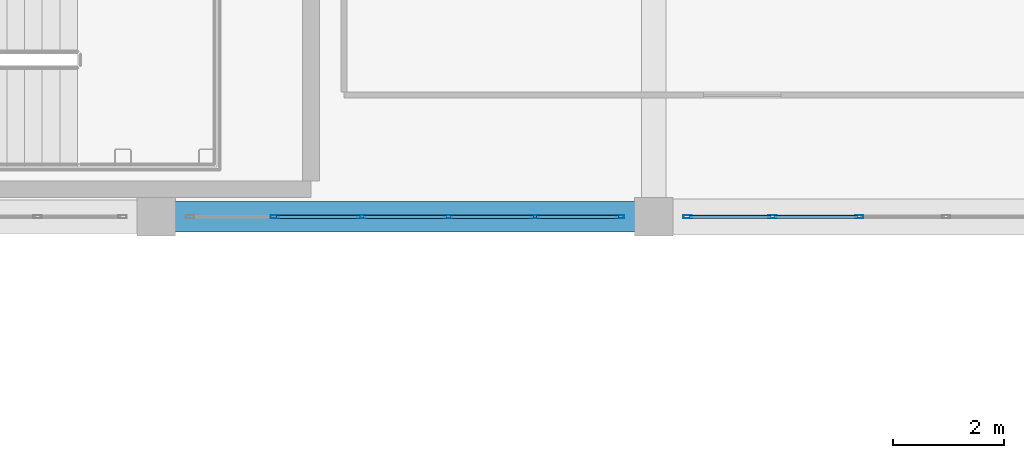
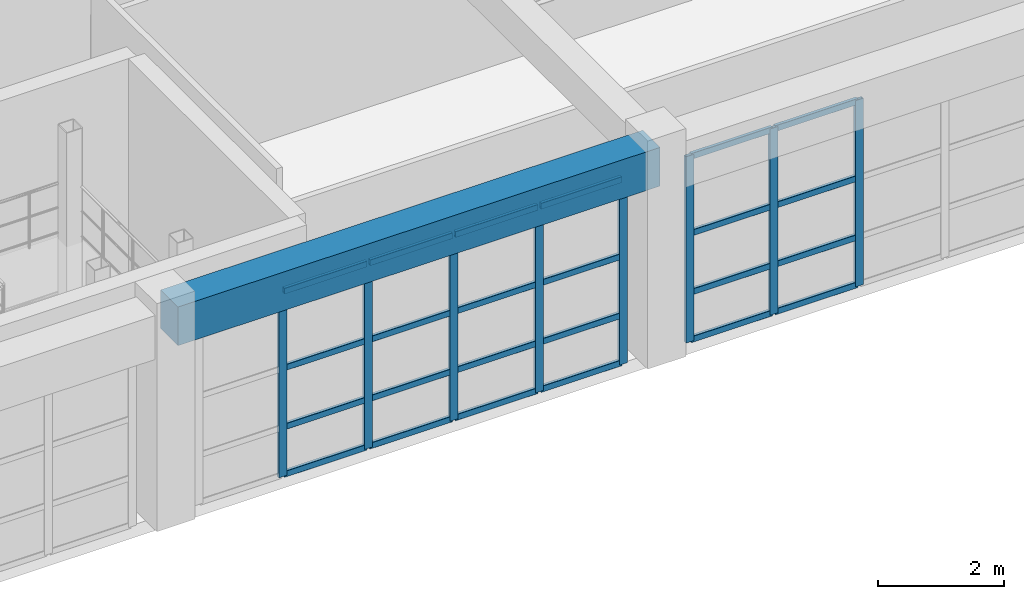
# One storey, part 86 of 133: 32 members, 1 beam, 2 elements without a shape of their own.
"""IFC4 building model written with IfcOpenShell, lengths in metres."""

from ifc_helpers import new_model, si_unit, direction, frame, origin, origin_2d, place, context, subcontext, project, spatial, rectangle, hollow_rectangle, extrude, material, material_profile, profile_set, type_object, element, aggregate, save


model = new_model("IFC4")

# Units and contexts
model_context = context("Model", 3, precision=1e-05, world=origin(), true_north=direction((0.0, 1.0)))
body_context = subcontext(model_context, "Body", "Model", "MODEL_VIEW")
ifc_project = project(units=[si_unit("LENGTHUNIT", "METRE"), si_unit("AREAUNIT", "SQUARE_METRE"), si_unit("VOLUMEUNIT", "CUBIC_METRE"), si_unit("PLANEANGLEUNIT", "RADIAN"), si_unit("MASSUNIT", "GRAM", prefix="KILO")], contexts=[model_context])

# Site, building, storey
site_placement = place(None, origin())
site = spatial("IfcSite", under=ifc_project, at=site_placement, CompositionType="ELEMENT")
building_placement = place(site_placement, origin())
building = spatial("IfcBuilding", under=site, at=building_placement, Name="Miravela Opera House", CompositionType="ELEMENT")
storey_placement = place(building_placement, frame((0.0, 0.0, 5.10009765625)))
storey = spatial("IfcBuildingStorey", under=building, at=storey_placement, Name="L01", CompositionType="ELEMENT", Elevation=5.10009765625)

# Curtain wall, members
ifc_material_1 = material(Name="Anodised architectural bronze aluminium 6063-T6", Category="aluminium")
curtain_wall_type = type_object("IfcCurtainWallType", Name="ARC-CW-05", PredefinedType="NOTDEFINED", material=ifc_material_1)
curtain_wall_1_placement = place(storey_placement, origin())
curtain_wall_1 = element("IfcCurtainWall", 1, at=curtain_wall_1_placement, inside=storey, type_object=curtain_wall_type, Name="Courtyard Arcade Curtain Wall CW-L01-173", PredefinedType="NOTDEFINED")
ifc_material_profile_1 = material_profile(ifc_material_1, hollow_rectangle(XDim=0.06005859375, YDim=0.14990234375, WallThickness=0.00390625, InnerFilletRadius=0.001953125, OuterFilletRadius=0.00390625, at=origin_2d()), Name="CWM-60X150")
ifc_profile_set_1 = profile_set([ifc_material_profile_1])
member_type_1 = type_object("IfcMemberType", Name="ARC-CWM-150", PredefinedType="MULLION", material=ifc_profile_set_1)
member_1_placement = place(storey_placement, frame((128.14794921875, 103.0, 0.0), z_axis=(0.0, 0.0, 1.0), x_axis=(0.0, 1.0, 0.0)))
member_1 = element("IfcMember", 2, at=member_1_placement, type_object=member_type_1, Name="CW-05 mullion 2", PredefinedType="MULLION", context=body_context, shape_type="SweptSolid", body=[
    extrude(hollow_rectangle(XDim=0.06005859375, YDim=0.14990234375, WallThickness=0.00390625, InnerFilletRadius=0.001953125, OuterFilletRadius=0.00390625, at=origin_2d()), origin(), (0.0, 0.0, 1.0), 3.60986328125),
])
member_2_placement = place(storey_placement, frame((129.716064453125, 103.0, 0.0), z_axis=(0.0, 0.0, 1.0), x_axis=(0.0, 1.0, 0.0)))
member_2 = element("IfcMember", 3, at=member_2_placement, type_object=member_type_1, Name="CW-05 mullion 3", PredefinedType="MULLION", context=body_context, shape_type="SweptSolid", body=[
    extrude(hollow_rectangle(XDim=0.06005859375, YDim=0.14990234375, WallThickness=0.00390625, InnerFilletRadius=0.001953125, OuterFilletRadius=0.00390625, at=origin_2d()), origin(), (0.0, 0.0, 1.0), 3.60986328125),
])
member_3_placement = place(storey_placement, frame((131.283935546875, 103.0, 0.0), z_axis=(0.0, 0.0, 1.0), x_axis=(0.0, 1.0, 0.0)))
member_3 = element("IfcMember", 4, at=member_3_placement, type_object=member_type_1, Name="CW-05 mullion 4", PredefinedType="MULLION", context=body_context, shape_type="SweptSolid", body=[
    extrude(hollow_rectangle(XDim=0.06005859375, YDim=0.14990234375, WallThickness=0.00390625, InnerFilletRadius=0.001953125, OuterFilletRadius=0.00390625, at=origin_2d()), origin(), (0.0, 0.0, 1.0), 3.60986328125),
])
member_4_placement = place(storey_placement, frame((132.85205078125, 103.0, 0.0), z_axis=(0.0, 0.0, 1.0), x_axis=(0.0, 1.0, 0.0)))
member_4 = element("IfcMember", 5, at=member_4_placement, type_object=member_type_1, Name="CW-05 mullion 5", PredefinedType="MULLION", context=body_context, shape_type="SweptSolid", body=[
    extrude(hollow_rectangle(XDim=0.06005859375, YDim=0.14990234375, WallThickness=0.00390625, InnerFilletRadius=0.001953125, OuterFilletRadius=0.00390625, at=origin_2d()), origin(), (0.0, 0.0, 1.0), 3.60986328125),
])
member_5_placement = place(storey_placement, frame((134.389892578125, 103.0, 0.0), z_axis=(0.0, 0.0, 1.0), x_axis=(0.0, 1.0, 0.0)))
member_5 = element("IfcMember", 6, at=member_5_placement, type_object=member_type_1, Name="CW-05 mullion 6", PredefinedType="MULLION", context=body_context, shape_type="SweptSolid", body=[
    extrude(hollow_rectangle(XDim=0.06005859375, YDim=0.14990234375, WallThickness=0.00390625, InnerFilletRadius=0.001953125, OuterFilletRadius=0.00390625, at=origin_2d()), origin(), (0.0, 0.0, 1.0), 3.60986328125),
])

curtain_wall_2_placement = place(storey_placement, origin())
curtain_wall_2 = element("IfcCurtainWall", 7, at=curtain_wall_2_placement, inside=storey, type_object=curtain_wall_type, Name="Courtyard Arcade Curtain Wall CW-L01-177", PredefinedType="NOTDEFINED")
member_6_placement = place(storey_placement, frame((135.610107421875, 103.0, 0.0), z_axis=(0.0, 0.0, 1.0), x_axis=(0.0, 1.0, 0.0)))
member_6 = element("IfcMember", 8, at=member_6_placement, type_object=member_type_1, Name="CW-05 mullion 1", PredefinedType="MULLION", context=body_context, shape_type="SweptSolid", body=[
    extrude(hollow_rectangle(XDim=0.06005859375, YDim=0.14990234375, WallThickness=0.00390625, InnerFilletRadius=0.001953125, OuterFilletRadius=0.00390625, at=origin_2d()), origin(), (0.0, 0.0, 1.0), 3.60986328125),
])
member_7_placement = place(storey_placement, frame((137.14794921875, 103.0, 0.0), z_axis=(0.0, 0.0, 1.0), x_axis=(0.0, 1.0, 0.0)))
member_7 = element("IfcMember", 9, at=member_7_placement, type_object=member_type_1, Name="CW-05 mullion 2", PredefinedType="MULLION", context=body_context, shape_type="SweptSolid", body=[
    extrude(hollow_rectangle(XDim=0.06005859375, YDim=0.14990234375, WallThickness=0.00390625, InnerFilletRadius=0.001953125, OuterFilletRadius=0.00390625, at=origin_2d()), origin(), (0.0, 0.0, 1.0), 3.60986328125),
])
member_8_placement = place(storey_placement, frame((138.716064453125, 103.0, 0.0), z_axis=(0.0, 0.0, 1.0), x_axis=(0.0, 1.0, 0.0)))
member_8 = element("IfcMember", 10, at=member_8_placement, type_object=member_type_1, Name="CW-05 mullion 3", PredefinedType="MULLION", context=body_context, shape_type="SweptSolid", body=[
    extrude(hollow_rectangle(XDim=0.06005859375, YDim=0.14990234375, WallThickness=0.00390625, InnerFilletRadius=0.001953125, OuterFilletRadius=0.00390625, at=origin_2d()), origin(), (0.0, 0.0, 1.0), 3.60986328125),
])

# Member
ifc_material_profile_2 = material_profile(ifc_material_1, hollow_rectangle(XDim=0.06005859375, YDim=0.114990234375, WallThickness=0.00390625, InnerFilletRadius=0.001953125, OuterFilletRadius=0.00390625, at=origin_2d()), Name="CWT-60X115")
ifc_profile_set_2 = profile_set([ifc_material_profile_2])
member_type_2 = type_object("IfcMemberType", Name="ARC-CWT-115", PredefinedType="USERDEFINED", material=ifc_profile_set_2)
member_9_placement = place(storey_placement, frame((128.177978515625, 103.0, 0.02978515625), z_axis=(1.0, 0.0, 0.0), x_axis=(0.0, 1.0, 0.0)))
member_9 = element("IfcMember", 11, at=member_9_placement, type_object=member_type_2, Name="CW-05 transom 2.1", ObjectType="TRANSOM", PredefinedType="USERDEFINED", context=body_context, shape_type="SweptSolid", body=[
    extrude(hollow_rectangle(XDim=0.06005859375, YDim=0.114990234375, WallThickness=0.00390625, InnerFilletRadius=0.001953125, OuterFilletRadius=0.00390625, at=origin_2d()), origin(), (0.0, 0.0, 1.0), 1.508056640625),
])

member_10_placement = place(storey_placement, frame((128.177978515625, 103.0, 0.949951171875), z_axis=(1.0, 0.0, 0.0), x_axis=(0.0, 1.0, 0.0)))
member_10 = element("IfcMember", 12, at=member_10_placement, type_object=member_type_2, Name="CW-05 transom 2.2", ObjectType="TRANSOM", PredefinedType="USERDEFINED", context=body_context, shape_type="SweptSolid", body=[
    extrude(hollow_rectangle(XDim=0.06005859375, YDim=0.114990234375, WallThickness=0.00390625, InnerFilletRadius=0.001953125, OuterFilletRadius=0.00390625, at=origin_2d()), origin(), (0.0, 0.0, 1.0), 1.508056640625),
])

member_11_placement = place(storey_placement, frame((128.177978515625, 103.0, 2.09375), z_axis=(1.0, 0.0, 0.0), x_axis=(0.0, 1.0, 0.0)))
member_11 = element("IfcMember", 13, at=member_11_placement, type_object=member_type_2, Name="CW-05 transom 2.3", ObjectType="TRANSOM", PredefinedType="USERDEFINED", context=body_context, shape_type="SweptSolid", body=[
    extrude(hollow_rectangle(XDim=0.06005859375, YDim=0.114990234375, WallThickness=0.00390625, InnerFilletRadius=0.001953125, OuterFilletRadius=0.00390625, at=origin_2d()), origin(), (0.0, 0.0, 1.0), 1.508056640625),
])

member_12_placement = place(storey_placement, frame((128.177978515625, 103.0, 3.579833984375), z_axis=(1.0, 0.0, 0.0), x_axis=(0.0, 1.0, 0.0)))
member_12 = element("IfcMember", 14, at=member_12_placement, type_object=member_type_2, Name="CW-05 transom 2.4", ObjectType="TRANSOM", PredefinedType="USERDEFINED", context=body_context, shape_type="SweptSolid", body=[
    extrude(hollow_rectangle(XDim=0.06005859375, YDim=0.114990234375, WallThickness=0.00390625, InnerFilletRadius=0.001953125, OuterFilletRadius=0.00390625, at=origin_2d()), origin(), (0.0, 0.0, 1.0), 1.508056640625),
])

member_13_placement = place(storey_placement, frame((129.74609375, 103.0, 0.02978515625), z_axis=(1.0, 0.0, 0.0), x_axis=(0.0, 1.0, 0.0)))
member_13 = element("IfcMember", 15, at=member_13_placement, type_object=member_type_2, Name="CW-05 transom 3.1", ObjectType="TRANSOM", PredefinedType="USERDEFINED", context=body_context, shape_type="SweptSolid", body=[
    extrude(hollow_rectangle(XDim=0.06005859375, YDim=0.114990234375, WallThickness=0.00390625, InnerFilletRadius=0.001953125, OuterFilletRadius=0.00390625, at=origin_2d()), origin(), (0.0, 0.0, 1.0), 1.5078125),
])

member_14_placement = place(storey_placement, frame((129.74609375, 103.0, 0.949951171875), z_axis=(1.0, 0.0, 0.0), x_axis=(0.0, 1.0, 0.0)))
member_14 = element("IfcMember", 16, at=member_14_placement, type_object=member_type_2, Name="CW-05 transom 3.2", ObjectType="TRANSOM", PredefinedType="USERDEFINED", context=body_context, shape_type="SweptSolid", body=[
    extrude(hollow_rectangle(XDim=0.06005859375, YDim=0.114990234375, WallThickness=0.00390625, InnerFilletRadius=0.001953125, OuterFilletRadius=0.00390625, at=origin_2d()), origin(), (0.0, 0.0, 1.0), 1.5078125),
])

member_15_placement = place(storey_placement, frame((129.74609375, 103.0, 2.09375), z_axis=(1.0, 0.0, 0.0), x_axis=(0.0, 1.0, 0.0)))
member_15 = element("IfcMember", 17, at=member_15_placement, type_object=member_type_2, Name="CW-05 transom 3.3", ObjectType="TRANSOM", PredefinedType="USERDEFINED", context=body_context, shape_type="SweptSolid", body=[
    extrude(hollow_rectangle(XDim=0.06005859375, YDim=0.114990234375, WallThickness=0.00390625, InnerFilletRadius=0.001953125, OuterFilletRadius=0.00390625, at=origin_2d()), origin(), (0.0, 0.0, 1.0), 1.5078125),
])

member_16_placement = place(storey_placement, frame((129.74609375, 103.0, 3.579833984375), z_axis=(1.0, 0.0, 0.0), x_axis=(0.0, 1.0, 0.0)))
member_16 = element("IfcMember", 18, at=member_16_placement, type_object=member_type_2, Name="CW-05 transom 3.4", ObjectType="TRANSOM", PredefinedType="USERDEFINED", context=body_context, shape_type="SweptSolid", body=[
    extrude(hollow_rectangle(XDim=0.06005859375, YDim=0.114990234375, WallThickness=0.00390625, InnerFilletRadius=0.001953125, OuterFilletRadius=0.00390625, at=origin_2d()), origin(), (0.0, 0.0, 1.0), 1.5078125),
])

member_17_placement = place(storey_placement, frame((131.31396484375, 103.0, 0.02978515625), z_axis=(1.0, 0.0, 0.0), x_axis=(0.0, 1.0, 0.0)))
member_17 = element("IfcMember", 19, at=member_17_placement, type_object=member_type_2, Name="CW-05 transom 4.1", ObjectType="TRANSOM", PredefinedType="USERDEFINED", context=body_context, shape_type="SweptSolid", body=[
    extrude(hollow_rectangle(XDim=0.06005859375, YDim=0.114990234375, WallThickness=0.00390625, InnerFilletRadius=0.001953125, OuterFilletRadius=0.00390625, at=origin_2d()), origin(), (0.0, 0.0, 1.0), 1.508056640625),
])

member_18_placement = place(storey_placement, frame((131.31396484375, 103.0, 0.949951171875), z_axis=(1.0, 0.0, 0.0), x_axis=(0.0, 1.0, 0.0)))
member_18 = element("IfcMember", 20, at=member_18_placement, type_object=member_type_2, Name="CW-05 transom 4.2", ObjectType="TRANSOM", PredefinedType="USERDEFINED", context=body_context, shape_type="SweptSolid", body=[
    extrude(hollow_rectangle(XDim=0.06005859375, YDim=0.114990234375, WallThickness=0.00390625, InnerFilletRadius=0.001953125, OuterFilletRadius=0.00390625, at=origin_2d()), origin(), (0.0, 0.0, 1.0), 1.508056640625),
])

member_19_placement = place(storey_placement, frame((131.31396484375, 103.0, 2.09375), z_axis=(1.0, 0.0, 0.0), x_axis=(0.0, 1.0, 0.0)))
member_19 = element("IfcMember", 21, at=member_19_placement, type_object=member_type_2, Name="CW-05 transom 4.3", ObjectType="TRANSOM", PredefinedType="USERDEFINED", context=body_context, shape_type="SweptSolid", body=[
    extrude(hollow_rectangle(XDim=0.06005859375, YDim=0.114990234375, WallThickness=0.00390625, InnerFilletRadius=0.001953125, OuterFilletRadius=0.00390625, at=origin_2d()), origin(), (0.0, 0.0, 1.0), 1.508056640625),
])

member_20_placement = place(storey_placement, frame((131.31396484375, 103.0, 3.579833984375), z_axis=(1.0, 0.0, 0.0), x_axis=(0.0, 1.0, 0.0)))
member_20 = element("IfcMember", 22, at=member_20_placement, type_object=member_type_2, Name="CW-05 transom 4.4", ObjectType="TRANSOM", PredefinedType="USERDEFINED", context=body_context, shape_type="SweptSolid", body=[
    extrude(hollow_rectangle(XDim=0.06005859375, YDim=0.114990234375, WallThickness=0.00390625, InnerFilletRadius=0.001953125, OuterFilletRadius=0.00390625, at=origin_2d()), origin(), (0.0, 0.0, 1.0), 1.508056640625),
])

member_21_placement = place(storey_placement, frame((132.882080078125, 103.0, 0.02978515625), z_axis=(1.0, 0.0, 0.0), x_axis=(0.0, 1.0, 0.0)))
member_21 = element("IfcMember", 23, at=member_21_placement, type_object=member_type_2, Name="CW-05 transom 5.1", ObjectType="TRANSOM", PredefinedType="USERDEFINED", context=body_context, shape_type="SweptSolid", body=[
    extrude(hollow_rectangle(XDim=0.06005859375, YDim=0.114990234375, WallThickness=0.00390625, InnerFilletRadius=0.001953125, OuterFilletRadius=0.00390625, at=origin_2d()), origin(), (0.0, 0.0, 1.0), 1.47802734375),
])

member_22_placement = place(storey_placement, frame((132.882080078125, 103.0, 0.949951171875), z_axis=(1.0, 0.0, 0.0), x_axis=(0.0, 1.0, 0.0)))
member_22 = element("IfcMember", 24, at=member_22_placement, type_object=member_type_2, Name="CW-05 transom 5.2", ObjectType="TRANSOM", PredefinedType="USERDEFINED", context=body_context, shape_type="SweptSolid", body=[
    extrude(hollow_rectangle(XDim=0.06005859375, YDim=0.114990234375, WallThickness=0.00390625, InnerFilletRadius=0.001953125, OuterFilletRadius=0.00390625, at=origin_2d()), origin(), (0.0, 0.0, 1.0), 1.47802734375),
])

member_23_placement = place(storey_placement, frame((132.882080078125, 103.0, 2.09375), z_axis=(1.0, 0.0, 0.0), x_axis=(0.0, 1.0, 0.0)))
member_23 = element("IfcMember", 25, at=member_23_placement, type_object=member_type_2, Name="CW-05 transom 5.3", ObjectType="TRANSOM", PredefinedType="USERDEFINED", context=body_context, shape_type="SweptSolid", body=[
    extrude(hollow_rectangle(XDim=0.06005859375, YDim=0.114990234375, WallThickness=0.00390625, InnerFilletRadius=0.001953125, OuterFilletRadius=0.00390625, at=origin_2d()), origin(), (0.0, 0.0, 1.0), 1.47802734375),
])

member_24_placement = place(storey_placement, frame((132.882080078125, 103.0, 3.579833984375), z_axis=(1.0, 0.0, 0.0), x_axis=(0.0, 1.0, 0.0)))
member_24 = element("IfcMember", 26, at=member_24_placement, type_object=member_type_2, Name="CW-05 transom 5.4", ObjectType="TRANSOM", PredefinedType="USERDEFINED", context=body_context, shape_type="SweptSolid", body=[
    extrude(hollow_rectangle(XDim=0.06005859375, YDim=0.114990234375, WallThickness=0.00390625, InnerFilletRadius=0.001953125, OuterFilletRadius=0.00390625, at=origin_2d()), origin(), (0.0, 0.0, 1.0), 1.47802734375),
])

aggregate(curtain_wall_1, [member_1, member_2, member_3, member_4, member_5, member_9, member_10, member_11, member_12, member_13, member_14, member_15, member_16, member_17, member_18, member_19, member_20, member_21, member_22, member_23, member_24])

member_25_placement = place(storey_placement, frame((135.639892578125, 103.0, 0.02978515625), z_axis=(1.0, 0.0, 0.0), x_axis=(0.0, 1.0, 0.0)))
member_25 = element("IfcMember", 27, at=member_25_placement, type_object=member_type_2, Name="CW-05 transom 1.1", ObjectType="TRANSOM", PredefinedType="USERDEFINED", context=body_context, shape_type="SweptSolid", body=[
    extrude(hollow_rectangle(XDim=0.06005859375, YDim=0.114990234375, WallThickness=0.00390625, InnerFilletRadius=0.001953125, OuterFilletRadius=0.00390625, at=origin_2d()), origin(), (0.0, 0.0, 1.0), 1.47802734375),
])

member_26_placement = place(storey_placement, frame((135.639892578125, 103.0, 0.949951171875), z_axis=(1.0, 0.0, 0.0), x_axis=(0.0, 1.0, 0.0)))
member_26 = element("IfcMember", 28, at=member_26_placement, type_object=member_type_2, Name="CW-05 transom 1.2", ObjectType="TRANSOM", PredefinedType="USERDEFINED", context=body_context, shape_type="SweptSolid", body=[
    extrude(hollow_rectangle(XDim=0.06005859375, YDim=0.114990234375, WallThickness=0.00390625, InnerFilletRadius=0.001953125, OuterFilletRadius=0.00390625, at=origin_2d()), origin(), (0.0, 0.0, 1.0), 1.47802734375),
])

member_27_placement = place(storey_placement, frame((135.639892578125, 103.0, 2.09375), z_axis=(1.0, 0.0, 0.0), x_axis=(0.0, 1.0, 0.0)))
member_27 = element("IfcMember", 29, at=member_27_placement, type_object=member_type_2, Name="CW-05 transom 1.3", ObjectType="TRANSOM", PredefinedType="USERDEFINED", context=body_context, shape_type="SweptSolid", body=[
    extrude(hollow_rectangle(XDim=0.06005859375, YDim=0.114990234375, WallThickness=0.00390625, InnerFilletRadius=0.001953125, OuterFilletRadius=0.00390625, at=origin_2d()), origin(), (0.0, 0.0, 1.0), 1.47802734375),
])

member_28_placement = place(storey_placement, frame((135.639892578125, 103.0, 3.579833984375), z_axis=(1.0, 0.0, 0.0), x_axis=(0.0, 1.0, 0.0)))
member_28 = element("IfcMember", 30, at=member_28_placement, type_object=member_type_2, Name="CW-05 transom 1.4", ObjectType="TRANSOM", PredefinedType="USERDEFINED", context=body_context, shape_type="SweptSolid", body=[
    extrude(hollow_rectangle(XDim=0.06005859375, YDim=0.114990234375, WallThickness=0.00390625, InnerFilletRadius=0.001953125, OuterFilletRadius=0.00390625, at=origin_2d()), origin(), (0.0, 0.0, 1.0), 1.47802734375),
])

member_29_placement = place(storey_placement, frame((137.177978515625, 103.0, 0.02978515625), z_axis=(1.0, 0.0, 0.0), x_axis=(0.0, 1.0, 0.0)))
member_29 = element("IfcMember", 31, at=member_29_placement, type_object=member_type_2, Name="CW-05 transom 2.1", ObjectType="TRANSOM", PredefinedType="USERDEFINED", context=body_context, shape_type="SweptSolid", body=[
    extrude(hollow_rectangle(XDim=0.06005859375, YDim=0.114990234375, WallThickness=0.00390625, InnerFilletRadius=0.001953125, OuterFilletRadius=0.00390625, at=origin_2d()), origin(), (0.0, 0.0, 1.0), 1.508056640625),
])

member_30_placement = place(storey_placement, frame((137.177978515625, 103.0, 0.949951171875), z_axis=(1.0, 0.0, 0.0), x_axis=(0.0, 1.0, 0.0)))
member_30 = element("IfcMember", 32, at=member_30_placement, type_object=member_type_2, Name="CW-05 transom 2.2", ObjectType="TRANSOM", PredefinedType="USERDEFINED", context=body_context, shape_type="SweptSolid", body=[
    extrude(hollow_rectangle(XDim=0.06005859375, YDim=0.114990234375, WallThickness=0.00390625, InnerFilletRadius=0.001953125, OuterFilletRadius=0.00390625, at=origin_2d()), origin(), (0.0, 0.0, 1.0), 1.508056640625),
])

member_31_placement = place(storey_placement, frame((137.177978515625, 103.0, 2.09375), z_axis=(1.0, 0.0, 0.0), x_axis=(0.0, 1.0, 0.0)))
member_31 = element("IfcMember", 33, at=member_31_placement, type_object=member_type_2, Name="CW-05 transom 2.3", ObjectType="TRANSOM", PredefinedType="USERDEFINED", context=body_context, shape_type="SweptSolid", body=[
    extrude(hollow_rectangle(XDim=0.06005859375, YDim=0.114990234375, WallThickness=0.00390625, InnerFilletRadius=0.001953125, OuterFilletRadius=0.00390625, at=origin_2d()), origin(), (0.0, 0.0, 1.0), 1.508056640625),
])

member_32_placement = place(storey_placement, frame((137.177978515625, 103.0, 3.579833984375), z_axis=(1.0, 0.0, 0.0), x_axis=(0.0, 1.0, 0.0)))
member_32 = element("IfcMember", 34, at=member_32_placement, type_object=member_type_2, Name="CW-05 transom 2.4", ObjectType="TRANSOM", PredefinedType="USERDEFINED", context=body_context, shape_type="SweptSolid", body=[
    extrude(hollow_rectangle(XDim=0.06005859375, YDim=0.114990234375, WallThickness=0.00390625, InnerFilletRadius=0.001953125, OuterFilletRadius=0.00390625, at=origin_2d()), origin(), (0.0, 0.0, 1.0), 1.508056640625),
])

aggregate(curtain_wall_2, [member_6, member_7, member_8, member_25, member_26, member_27, member_28, member_29, member_30, member_31, member_32])

# Beam
ifc_material_2 = material(Name="Concrete C35/45", Category="concrete")
ifc_material_profile_3 = material_profile(ifc_material_2, rectangle(XDim=0.550048828125, YDim=0.75, at=origin_2d()), Name="RC-BM-550X750")
ifc_profile_set_3 = profile_set([ifc_material_profile_3])
beam_type = type_object("IfcBeamType", Name="STR-BM-RC550X750", PredefinedType="BEAM", material=ifc_profile_set_3)
beam_placement = place(storey_placement, frame((126.080078125, 103.0, 3.784912109375), z_axis=(1.0, 0.0, 0.0), x_axis=(0.0, 1.0, 0.0)))
element("IfcBeam", 35, at=beam_placement, inside=storey, type_object=beam_type, Name="Floor Girder L01 15-16/L", PredefinedType="BEAM", context=body_context, shape_type="SweptSolid", body=[
    extrude(rectangle(XDim=0.550048828125, YDim=0.75, at=origin_2d()), origin(), (0.0, 0.0, 1.0), 8.83984375),
])

save(model, "model.ifc")
